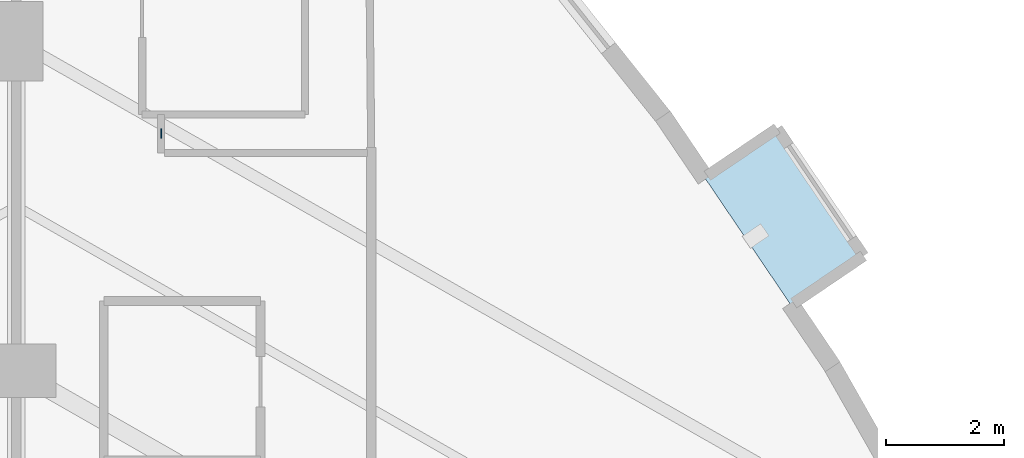
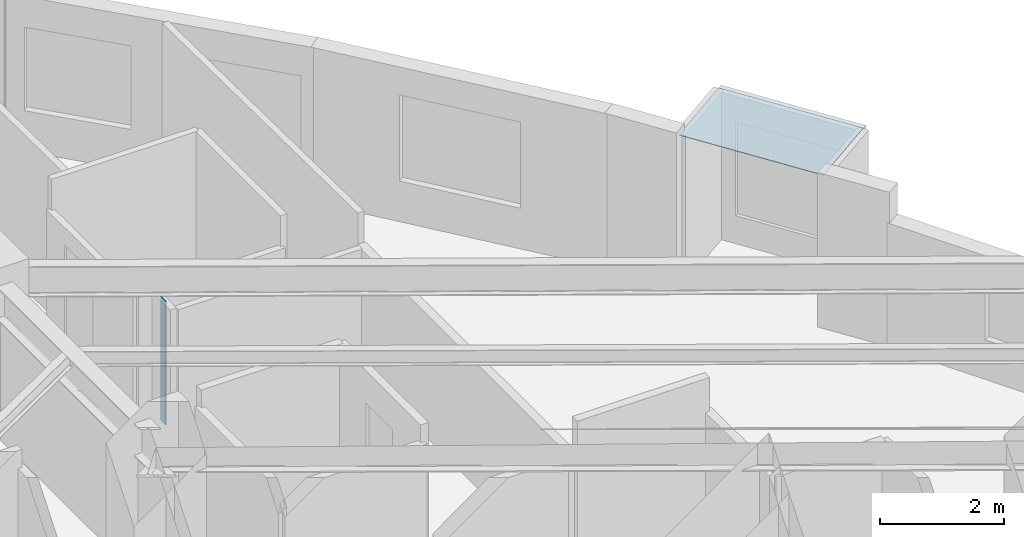
# One storey, part 5 of 13: 2 plates.
"""IFC4 building model written with IfcOpenShell, lengths in metres."""

import ifcopenshell
import ifcopenshell.guid

model = None  # the IFC model being written
_history = None  # IfcOwnerHistory: only IFC2X3 demands one
_inside = {}  # id of a spatial element -> (the spatial element, [elements in it])
_under = {}  # id of a project, library or spatial element -> (it, [spatial elements below it])
_declared = {}  # id of a project -> (the project, [libraries it declares])
_typed = {}  # id of a type object -> (the type object, [elements of that type])
_made_of = {}  # id of a material, layer set ... -> (it, [elements and type objects made of it])


def new_model(schema):
    """Start an empty IFC model of exactly this schema.

    Asked for "IFC4X3", IfcOpenShell would pick the latest addendum, in which some entities
    have other attributes; the version numbers below select the first issue.
    IFC2X3 requires an IfcOwnerHistory on every rooted entity: one is made here for all.
    """
    global model, _history
    if schema == "IFC4X3":
        model = ifcopenshell.file(schema_version=(4, 3, 0, 0))
    else:
        model = ifcopenshell.file(schema=schema)
    _inside.clear()
    _under.clear()
    _declared.clear()
    _typed.clear()
    _made_of.clear()
    _history = None
    if model.schema == "IFC2X3":
        org = make("IfcOrganization", Name="unknown")
        user = make(
            "IfcPersonAndOrganization",
            ThePerson=make("IfcPerson", FamilyName="unknown"),
            TheOrganization=org,
        )
        app = make(
            "IfcApplication",
            ApplicationDeveloper=org,
            Version="unknown",
            ApplicationFullName="unknown",
            ApplicationIdentifier="unknown",
        )
        _history = make(
            "IfcOwnerHistory",
            OwningUser=user,
            OwningApplication=app,
            ChangeAction="ADDED",
            CreationDate=0,
        )
    return model


def make(cls, **values):
    """One entity of the class cls with the attributes given. An attribute that is None is left unset."""
    return model.create_entity(
        cls, **{name: value for name, value in values.items() if value is not None}
    )


def rooted(cls, **values):
    """An entity with a GlobalId (a new one), such as an element, a storey or a relation."""
    return make(cls, GlobalId=ifcopenshell.guid.new(), OwnerHistory=_history, **values)


def si_unit(unit_type, name, prefix=None):
    """IfcSIUnit, for example si_unit("LENGTHUNIT", "METRE", prefix="MILLI")."""
    return make("IfcSIUnit", UnitType=unit_type, Prefix=prefix, Name=name)


def assignment(units):
    """IfcUnitAssignment: the units of a project."""
    return None if units is None else make("IfcUnitAssignment", Units=units)


def point(xyz):
    """IfcCartesianPoint."""
    return None if xyz is None else make("IfcCartesianPoint", Coordinates=xyz)


def direction(xyz):
    """IfcDirection."""
    return None if xyz is None else make("IfcDirection", DirectionRatios=xyz)


def frame(location, z_axis=None, x_axis=None):
    """IfcAxis2Placement3D, a coordinate frame: its origin and axes. An axis left out is left unset."""
    return make(
        "IfcAxis2Placement3D",
        Location=point(location),
        Axis=direction(z_axis),
        RefDirection=direction(x_axis),
    )


def frame_2d(location, x_axis=None):
    """IfcAxis2Placement2D, a coordinate frame in the plane: its origin and x axis."""
    return make(
        "IfcAxis2Placement2D", Location=point(location), RefDirection=direction(x_axis)
    )


def origin():
    """The frame at (0, 0, 0) with its axes left unset."""
    return frame((0.0, 0.0, 0.0))


def origin_2d():
    """The frame at (0, 0) in the plane with its x axis left unset."""
    return frame_2d((0.0, 0.0))


def place(relative_to, where):
    """IfcLocalPlacement: puts the frame where relative to a parent placement (None: the world)."""
    return make(
        "IfcLocalPlacement", PlacementRelTo=relative_to, RelativePlacement=where
    )


def context(
    kind, dimensions, precision=None, world=None, true_north=None, identifier=None
):
    """IfcGeometricRepresentationContext, for example the 3D "Model" context."""
    return make(
        "IfcGeometricRepresentationContext",
        ContextIdentifier=identifier,
        ContextType=kind,
        CoordinateSpaceDimension=dimensions,
        Precision=precision,
        WorldCoordinateSystem=world,
        TrueNorth=true_north,
    )


def subcontext(parent, identifier, kind, view, scale=None):
    """IfcGeometricRepresentationSubContext, for example "Body" below "Model"."""
    return make(
        "IfcGeometricRepresentationSubContext",
        ContextIdentifier=identifier,
        ContextType=kind,
        ParentContext=parent,
        TargetScale=scale,
        TargetView=view,
    )


def project(units=None, contexts=None):
    """IfcProject with its units and contexts."""
    return rooted(
        "IfcProject",
        Name="project",
        RepresentationContexts=contexts,
        UnitsInContext=assignment(units),
    )


def spatial(cls, under=None, at=None, **own):
    """A site, building, storey or space (cls), placed at a placement, below another one or the project."""
    s = rooted(cls, ObjectPlacement=at, **own)
    if under is not None:
        _under.setdefault(under.id(), (under, []))[1].append(s)
    return s


def polyline(points):
    """IfcPolyline through the points."""
    return make("IfcPolyline", Points=[point(p) for p in points])


def profile(cls, at=None, kind="AREA", **sizes):
    """A parametric profile (cls). Its sizes go by their IFC names, for example OverallWidth=200.0."""
    return make(cls, ProfileType=kind, Position=at, **sizes)


def rectangle(**sizes):
    """IfcRectangleProfileDef."""
    return profile("IfcRectangleProfileDef", **sizes)


def outline(outer, holes=None, kind="AREA"):
    """IfcArbitraryClosedProfileDef: a profile drawn as a closed curve; with holes, ...WithVoids."""
    if holes is None:
        return make("IfcArbitraryClosedProfileDef", ProfileType=kind, OuterCurve=outer)
    return make(
        "IfcArbitraryProfileDefWithVoids",
        ProfileType=kind,
        OuterCurve=outer,
        InnerCurves=holes,
    )


def extrude(swept, where, along, depth):
    """IfcExtrudedAreaSolid: the profile swept, set in the frame where, extruded along a direction by depth."""
    return make(
        "IfcExtrudedAreaSolid",
        SweptArea=swept,
        Position=where,
        ExtrudedDirection=direction(along),
        Depth=depth,
    )


def shape(context_of_items, identifier, shape_type, items):
    """IfcShapeRepresentation: the items that make up one representation, for example the "Body"."""
    return make(
        "IfcShapeRepresentation",
        ContextOfItems=context_of_items,
        RepresentationIdentifier=identifier,
        RepresentationType=shape_type,
        Items=items,
    )


def material(Name=None, Category=None):
    """IfcMaterial."""
    return make("IfcMaterial", Name=Name, Category=Category)


def layer(
    of_material, thickness, ventilated=None, Name=None, Category=None, Priority=None
):
    """IfcMaterialLayer: one layer of a wall or slab, of a material (None: an air gap)."""
    return make(
        "IfcMaterialLayer",
        Material=of_material,
        LayerThickness=thickness,
        IsVentilated=ventilated,
        Name=Name,
        Category=Category,
        Priority=Priority,
    )


def layer_set(layers, Name=None):
    """IfcMaterialLayerSet."""
    return make("IfcMaterialLayerSet", MaterialLayers=layers, LayerSetName=Name)


def made_of(thing, what):
    """Note that an element or type object is made of a material, layer set ...; save() writes the relation."""
    if what is not None:
        _made_of.setdefault(what.id(), (what, []))[1].append(thing)
    return thing


def type_object(cls, material=None, **own):
    """A type object (cls), such as IfcWallType, which elements share."""
    return made_of(rooted(cls, **own), material)


def element(
    cls,
    number,
    at=None,
    inside=None,
    cuts=None,
    type_object=None,
    material=None,
    context=None,
    identifier="Body",
    shape_type=None,
    held_by="IfcProductDefinitionShape",
    body=None,
    shapes=None,
    **own,
):
    """One element of the class cls, such as IfcWall. Its Tag is "e" and its number.

    at: its placement. inside: the storey or other place that contains it. cuts: it is an
    opening in that element (IfcRelVoidsElement). A single representation is given by context,
    identifier, shape_type and body (its items); several are given by shapes. held_by: the class
    of the entity that holds the representations. save() writes the other relations.
    """
    e = rooted(cls, Tag="e%d" % number, ObjectPlacement=at, **own)
    if body is not None:
        shapes = [shape(context, identifier, shape_type, body)]
    if shapes is not None:
        e.Representation = make(held_by, Representations=shapes)
    if inside is not None:
        _inside.setdefault(inside.id(), (inside, []))[1].append(e)
    if cuts is not None:
        rooted(
            "IfcRelVoidsElement", RelatingBuildingElement=cuts, RelatedOpeningElement=e
        )
    if type_object is not None:
        _typed.setdefault(type_object.id(), (type_object, []))[1].append(e)
    return made_of(e, material)


def aggregate(whole, parts):
    """IfcRelAggregates: a whole, such as a stair, and the parts it consists of."""
    return rooted("IfcRelAggregates", RelatingObject=whole, RelatedObjects=parts)


def save(model, path):
    """Write the relations noted so far, then the file.

    IfcRelAggregates (storeys below a building ...), IfcRelContainedInSpatialStructure (elements
    in a storey), IfcRelDefinesByType, IfcRelAssociatesMaterial and IfcRelDeclares: one each for
    every whole, place, type object, material and project.
    """
    for whole, parts in _under.values():
        aggregate(whole, parts)
    for where, things in _inside.values():
        rooted(
            "IfcRelContainedInSpatialStructure",
            RelatedElements=things,
            RelatingStructure=where,
        )
    for kind, things in _typed.values():
        rooted("IfcRelDefinesByType", RelatedObjects=things, RelatingType=kind)
    for what, things in _made_of.values():
        rooted("IfcRelAssociatesMaterial", RelatedObjects=things, RelatingMaterial=what)
    for by, libraries in _declared.values():
        rooted("IfcRelDeclares", RelatingContext=by, RelatedDefinitions=libraries)
    model.write(path)


model = new_model("IFC4")

# Units and contexts
model_context = context("Model", 3, precision=1e-05, world=origin(), true_north=direction((0.0, 1.0)))
body_context = subcontext(model_context, "Body", "Model", "MODEL_VIEW")
ifc_project = project(units=[si_unit("LENGTHUNIT", "METRE"), si_unit("AREAUNIT", "SQUARE_METRE"), si_unit("VOLUMEUNIT", "CUBIC_METRE"), si_unit("PLANEANGLEUNIT", "RADIAN"), si_unit("MASSUNIT", "GRAM", prefix="KILO")], contexts=[model_context])

# Site, building, storey
site_placement = place(None, origin())
site = spatial("IfcSite", under=ifc_project, at=site_placement, CompositionType="ELEMENT")
building_placement = place(site_placement, origin())
building = spatial("IfcBuilding", under=site, at=building_placement, Name="Miruveldt Soraemaru", CompositionType="ELEMENT")
storey_placement = place(building_placement, frame((0.0, 0.0, 87.0)))
storey = spatial("IfcBuildingStorey", under=building, at=storey_placement, Name="L24", CompositionType="ELEMENT", Elevation=87.0)

# Plates
ifc_material_1 = material(Name="Anodised aluminium EN AW-6063 T6", Category="aluminium")
ifc_layer_1 = layer(ifc_material_1, 0.02001953125, Name="Anodised aluminium EN AW-6063 T6", Category="aluminium")
ifc_layer_set_1 = layer_set([ifc_layer_1], Name="Anodised aluminium EN AW-6063 T6")
plate_type_1 = type_object("IfcPlateType", Name="PLT-PART-TRIM", PredefinedType="SHEET", material=ifc_layer_set_1)
plate_1_placement = place(storey_placement, frame((46.449951171875, 61.60546875, 0.0), z_axis=(0.0, 0.0, 1.0), x_axis=(0.0, 1.0, 0.0)))
element("IfcPlate", 1, at=plate_1_placement, inside=storey, type_object=plate_type_1, Name="L24 Partition Step Corner Trim Plate 036", PredefinedType="SHEET", context=body_context, shape_type="SweptSolid", body=[
    extrude(rectangle(XDim=0.159912109375, YDim=0.02001953125, at=origin_2d()), origin(), (0.0, 0.0, 1.0), 2.43798828125),
])
ifc_material_2 = material(Name="Standing-seam titanium-zinc sheet", Category="aluminium")
ifc_layer_2 = layer(ifc_material_2, 0.011962890625, Name="Standing-seam titanium-zinc sheet", Category="aluminium")
ifc_layer_set_2 = layer_set([ifc_layer_2], Name="Standing-seam titanium-zinc sheet")
plate_type_2 = type_object("IfcPlateType", Name="PLT-ZINC-12", PredefinedType="SHEET", material=ifc_layer_set_2)
plate_2_placement = place(storey_placement, frame((0.0, 0.0, 2.89990234375)))
element("IfcPlate", 2, at=plate_2_placement, inside=storey, type_object=plate_type_2, Name="L24 Bay Window Zinc Hood Sheet 6", PredefinedType="SHEET", context=body_context, shape_type="SweptSolid", body=[
    extrude(outline(polyline([(57.09228515625, 58.7099609375), (55.63427734375, 60.862548828125), (56.859619140625, 61.692626953125), (58.317626953125, 59.539794921875), (57.09228515625, 58.7099609375)])), origin(), (0.0, 0.0, 1.0), 0.01220703125),
])

save(model, "model.ifc")
